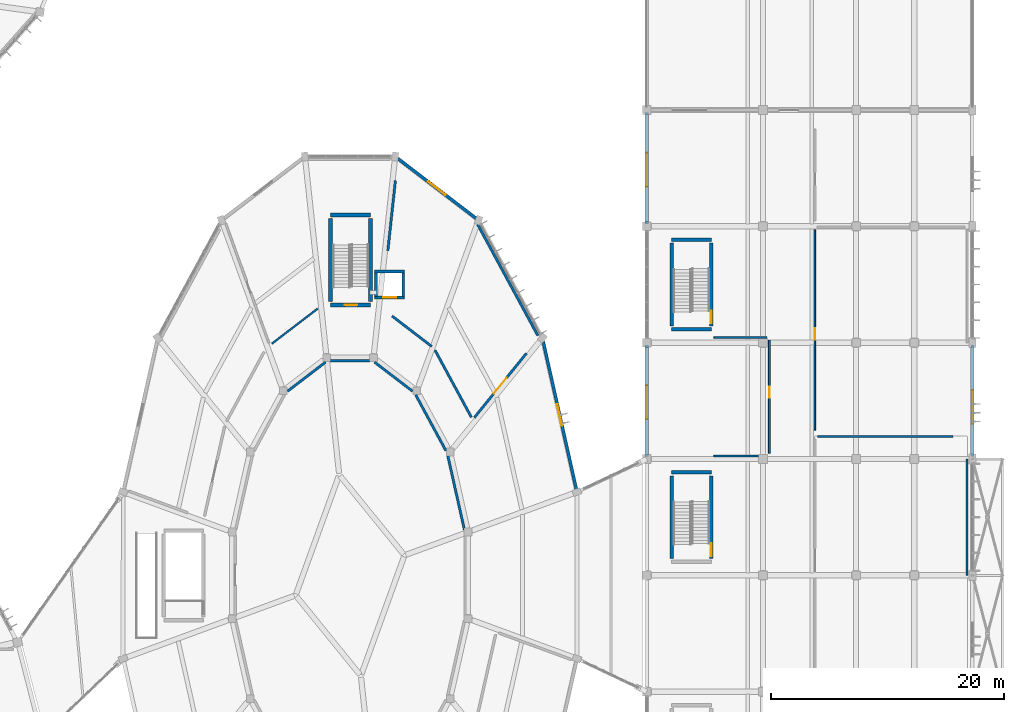
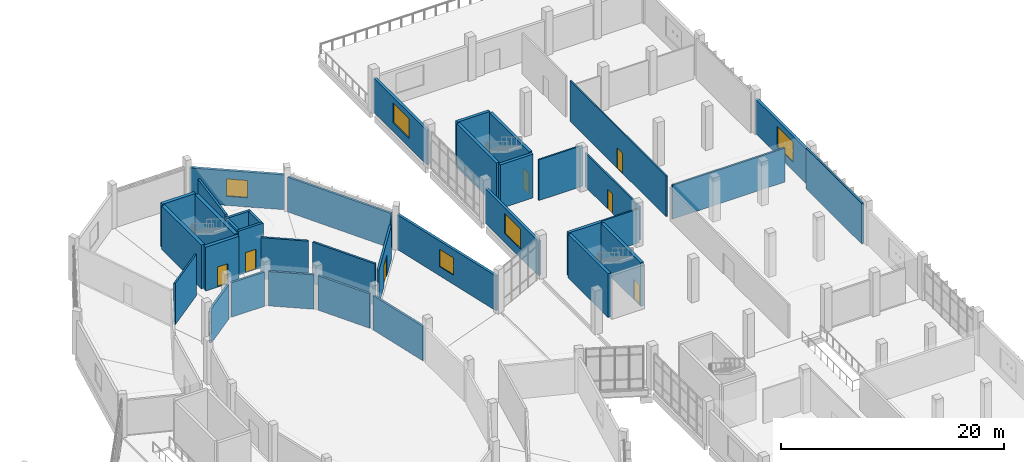
# One storey, part 128 of 179: 37 walls, 7 doors, 5 windows, 12 openings.
"""IFC4 building model written with IfcOpenShell, lengths in metres."""

from ifc_helpers import new_model, si_unit, direction, frame, frame_2d, origin, place, context, subcontext, project, spatial, rectangle, extrude, material, layer, layer_set, type_object, element, fill, save


model = new_model("IFC4")

# Units and contexts
model_context = context("Model", 3, precision=1e-05, world=origin(), true_north=direction((0.0, 1.0)))
body_context = subcontext(model_context, "Body", "Model", "MODEL_VIEW")
ifc_project = project(units=[si_unit("LENGTHUNIT", "METRE"), si_unit("AREAUNIT", "SQUARE_METRE"), si_unit("VOLUMEUNIT", "CUBIC_METRE"), si_unit("PLANEANGLEUNIT", "RADIAN"), si_unit("MASSUNIT", "GRAM", prefix="KILO")], contexts=[model_context])

# Site, building, storey
site_placement = place(None, origin())
site = spatial("IfcSite", under=ifc_project, at=site_placement, CompositionType="ELEMENT")
building_placement = place(site_placement, origin())
building = spatial("IfcBuilding", under=site, at=building_placement, Name="Corvandel Quay Wholesale Market", CompositionType="ELEMENT")
storey_placement = place(building_placement, frame((0.0, 0.0, 6.0)))
storey = spatial("IfcBuildingStorey", under=building, at=storey_placement, Name="L01", CompositionType="ELEMENT", Elevation=6.0)

# Wall, opening, window
ifc_material_1 = material(Name="Buff-pigmented precast concrete C45/55", Category="concrete")
ifc_layer_1 = layer(ifc_material_1, 0.280029296875)
ifc_layer_set_1 = layer_set([ifc_layer_1], Name="Buff-pigmented precast concrete C45/55")
wall_type_1 = type_object("IfcWallType", Name="Colonnade Spandrel Precast Wall EW07 280", PredefinedType="SOLIDWALL", material=ifc_layer_set_1)
wall_1_placement = place(storey_placement, frame((248.0, 70.219970703125, 0.0), z_axis=(0.0, 0.0, 1.0), x_axis=(0.0, 1.0, 0.0)))
wall_1 = element("IfcWall", 1, at=wall_1_placement, inside=storey, type_object=wall_type_1, Name="Exterior Wall EW-0354", PredefinedType="SOLIDWALL", context=body_context, shape_type="SweptSolid", body=[
    extrude(rectangle(XDim=9.56005859375, YDim=0.280029296875, at=frame_2d((4.780029296875, 0.0))), origin(), (0.0, 0.0, 1.0), 3.760009765625),
])
opening_1_placement = place(wall_1_placement, frame((2.800048828125, 0.0, 0.89990234375)))
opening_1 = element("IfcOpeningElement", 2, at=opening_1_placement, cuts=wall_1, Name="Opening L01-W091", PredefinedType="OPENING", context=body_context, shape_type="SweptSolid", body=[
    extrude(rectangle(XDim=2.89990234375, YDim=2.199951171875, at=frame_2d((1.449951171875, 1.10009765625))), frame((0.0, 0.14990234375, 0.0), z_axis=(0.0, -1.0, 0.0), x_axis=(1.0, 0.0, 0.0)), (0.0, 0.0, 1.0), 0.300048828125),
])
ifc_material_2 = material(Name="Thermally broken bronze anodised aluminium and solar-control low-E double glazing", Category="aluminium")
window_type_1 = type_object("IfcWindowType", Name="Canteen Harbour Window WN18 2900x2200", PartitioningType="SINGLE_PANEL", PredefinedType="WINDOW", material=ifc_material_2)
window_1_placement = place(opening_1_placement, origin())
window_1 = element("IfcWindow", 3, at=window_1_placement, inside=storey, type_object=window_type_1, Name="Window L01-W091", OverallHeight=2.199951171875, OverallWidth=2.89990234375, PartitioningType="SINGLE_PANEL", PredefinedType="WINDOW", context=body_context, shape_type="SweptSolid", body=[
    extrude(rectangle(XDim=2.89990234375, YDim=2.199951171875, at=frame_2d((1.449951171875, 1.10009765625))), frame((0.0, 0.030029296875, 0.0), z_axis=(0.0, -1.0, 0.0), x_axis=(1.0, 0.0, 0.0)), (0.0, 0.0, 1.0), 0.06005859375),
])
fill(opening_1, window_1)

wall_2_placement = place(storey_placement, frame((220.0, 70.219970703125, 0.0), z_axis=(0.0, 0.0, 1.0), x_axis=(0.0, 1.0, 0.0)))
wall_2 = element("IfcWall", 4, at=wall_2_placement, inside=storey, type_object=wall_type_1, Name="Exterior Wall EW-0355", PredefinedType="SOLIDWALL", context=body_context, shape_type="SweptSolid", body=[
    extrude(rectangle(XDim=9.56005859375, YDim=0.280029296875, at=frame_2d((4.780029296875, 0.0))), origin(), (0.0, 0.0, 1.0), 3.760009765625),
])
opening_2_placement = place(wall_2_placement, frame((3.199951171875, 0.0, 0.949951171875)))
opening_2 = element("IfcOpeningElement", 5, at=opening_2_placement, cuts=wall_2, Name="Opening L01-W092", PredefinedType="OPENING", context=body_context, shape_type="SweptSolid", body=[
    extrude(rectangle(XDim=2.89990234375, YDim=2.199951171875, at=frame_2d((1.449951171875, 1.10009765625))), frame((0.0, 0.14990234375, 0.0), z_axis=(0.0, -1.0, 0.0), x_axis=(1.0, 0.0, 0.0)), (0.0, 0.0, 1.0), 0.300048828125),
])
window_2_placement = place(opening_2_placement, origin())
window_2 = element("IfcWindow", 6, at=window_2_placement, inside=storey, type_object=window_type_1, Name="Window L01-W092", OverallHeight=2.199951171875, OverallWidth=2.89990234375, PartitioningType="SINGLE_PANEL", PredefinedType="WINDOW", context=body_context, shape_type="SweptSolid", body=[
    extrude(rectangle(XDim=2.89990234375, YDim=2.199951171875, at=frame_2d((1.449951171875, 1.10009765625))), frame((0.0, 0.030029296875, 0.0), z_axis=(0.0, -1.0, 0.0), x_axis=(1.0, 0.0, 0.0)), (0.0, 0.0, 1.0), 0.06005859375),
])
fill(opening_2, window_2)

wall_3_placement = place(storey_placement, frame((220.0, 90.219970703125, 0.0), z_axis=(0.0, 0.0, 1.0), x_axis=(0.0, 1.0, 0.0)))
wall_3 = element("IfcWall", 7, at=wall_3_placement, inside=storey, type_object=wall_type_1, Name="Exterior Wall EW-0357", PredefinedType="SOLIDWALL", context=body_context, shape_type="SweptSolid", body=[
    extrude(rectangle(XDim=9.56005859375, YDim=0.280029296875, at=frame_2d((4.780029296875, 0.0))), origin(), (0.0, 0.0, 1.0), 3.760009765625),
])
opening_3_placement = place(wall_3_placement, frame((3.199951171875, 0.0, 0.949951171875)))
opening_3 = element("IfcOpeningElement", 8, at=opening_3_placement, cuts=wall_3, Name="Opening L01-W094", PredefinedType="OPENING", context=body_context, shape_type="SweptSolid", body=[
    extrude(rectangle(XDim=2.89990234375, YDim=2.199951171875, at=frame_2d((1.449951171875, 1.10009765625))), frame((0.0, 0.14990234375, 0.0), z_axis=(0.0, -1.0, 0.0), x_axis=(1.0, 0.0, 0.0)), (0.0, 0.0, 1.0), 0.300048828125),
])
window_3_placement = place(opening_3_placement, origin())
window_3 = element("IfcWindow", 9, at=window_3_placement, inside=storey, type_object=window_type_1, Name="Window L01-W094", OverallHeight=2.199951171875, OverallWidth=2.89990234375, PartitioningType="SINGLE_PANEL", PredefinedType="WINDOW", context=body_context, shape_type="SweptSolid", body=[
    extrude(rectangle(XDim=2.89990234375, YDim=2.199951171875, at=frame_2d((1.449951171875, 1.10009765625))), frame((0.0, 0.030029296875, 0.0), z_axis=(0.0, -1.0, 0.0), x_axis=(1.0, 0.0, 0.0)), (0.0, 0.0, 1.0), 0.06005859375),
])
fill(opening_3, window_3)

# Wall, opening, door
ifc_material_3 = material(Name="Concrete C40/50", Category="concrete")
ifc_layer_2 = layer(ifc_material_3, 0.35009765625)
ifc_layer_set_2 = layer_set([ifc_layer_2], Name="Concrete C40/50")
wall_type_2 = type_object("IfcWallType", Name="Core Shear Wall SW01 350", PredefinedType="SHEAR", material=ifc_layer_set_2)
wall_4_placement = place(storey_placement, frame((192.824951171875, 83.22509765625, 0.0), z_axis=(0.0, 0.0, 1.0), x_axis=(1.0, 0.0, 0.0)))
wall_4 = element("IfcWall", 10, at=wall_4_placement, inside=storey, type_object=wall_type_2, Name="Shear Wall IW-0081", PredefinedType="SHEAR", context=body_context, shape_type="SweptSolid", body=[
    extrude(rectangle(XDim=3.449951171875, YDim=0.35009765625, at=frame_2d((1.72509765625, 0.0))), origin(), (0.0, 0.0, 1.0), 4.800048828125),
])
opening_4_placement = place(wall_4_placement, frame((1.199951171875, 0.0, 0.0)))
opening_4 = element("IfcOpeningElement", 11, at=opening_4_placement, cuts=wall_4, Name="Opening L01-D009", PredefinedType="OPENING", context=body_context, shape_type="SweptSolid", body=[
    extrude(rectangle(XDim=1.10009765625, YDim=2.199951171875, at=frame_2d((0.550048828125, 1.10009765625))), frame((0.0, 0.18505859375, 0.0), z_axis=(0.0, -1.0, 0.0), x_axis=(1.0, 0.0, 0.0)), (0.0, 0.0, 1.0), 0.3701171875),
])
ifc_material_4 = material(Name="Galvanised fire-rated hollow steel", Category="steel")
door_type_1 = type_object("IfcDoorType", Name="Exit Stair Fire Door ID01 1100x2200L", OperationType="SINGLE_SWING_LEFT", PredefinedType="DOOR", material=ifc_material_4)
door_1_placement = place(opening_4_placement, origin())
door_1 = element("IfcDoor", 12, at=door_1_placement, inside=storey, type_object=door_type_1, Name="Exit Stair Door SH08-L01", OperationType="SINGLE_SWING_LEFT", OverallHeight=2.199951171875, OverallWidth=1.10009765625, PredefinedType="DOOR", context=body_context, shape_type="SweptSolid", body=[
    extrude(rectangle(XDim=1.10009765625, YDim=2.199951171875, at=frame_2d((0.550048828125, 1.10009765625))), frame((0.0, 0.02490234375, 0.0), z_axis=(0.0, -1.0, 0.0), x_axis=(1.0, 0.0, 0.0)), (0.0, 0.0, 1.0), 0.050048828125),
])
fill(opening_4, door_1)

# Walls
wall_5_placement = place(storey_placement, frame((192.824951171875, 90.97509765625, 0.0), z_axis=(0.0, 0.0, 1.0), x_axis=(1.0, 0.0, 0.0)))
element("IfcWall", 13, at=wall_5_placement, inside=storey, type_object=wall_type_2, Name="Shear Wall IW-0082", PredefinedType="SHEAR", context=body_context, shape_type="SweptSolid", body=[
    extrude(rectangle(XDim=3.449951171875, YDim=0.35009765625, at=frame_2d((1.72509765625, 0.0))), origin(), (0.0, 0.0, 1.0), 4.800048828125),
])
for number, where, z_axis, x_axis, name in (
    (14, (192.824951171875, 83.5400390625, 0.0), (0.0, 0.0, 1.0), (0.0, 1.0, 0.0), "Shear Wall IW-0083"),
    (15, (196.27490234375, 83.5400390625, 0.0), (0.0, 0.0, 1.0), (0.0, 1.0, 0.0), "Shear Wall IW-0084"),
):
    element("IfcWall", number, at=place(storey_placement, frame(where, z_axis=z_axis, x_axis=x_axis)), inside=storey, type_object=wall_type_2, Name=name, PredefinedType="SHEAR", context=body_context, shape_type="SweptSolid", body=[
        extrude(rectangle(XDim=7.119873046875, YDim=0.35009765625, at=frame_2d((3.56005859375, 0.0))), origin(), (0.0, 0.0, 1.0), 4.800048828125),
    ])
ifc_material_5 = material(Name="Gypsum-clad steel stud framing", Category="steel")
ifc_layer_3 = layer(ifc_material_5, 0.2099609375)
ifc_layer_set_3 = layer_set([ifc_layer_3], Name="Gypsum-clad steel stud framing")
wall_type_3 = type_object("IfcWallType", Name="Corridor Rated Partition PT02 210", PredefinedType="PARTITIONING", material=ifc_layer_set_3)
wall_6_placement = place(storey_placement, frame((189.1328125, 75.83056640625, 0.0), z_axis=(0.0, 0.0, 1.0), x_axis=(0.794324097456, 0.607494220714, 0.0)))
element("IfcWall", 16, at=wall_6_placement, inside=storey, type_object=wall_type_3, Name="Interior Wall IW-0721", PredefinedType="PARTITIONING", context=body_context, shape_type="SweptSolid", body=[
    extrude(rectangle(XDim=4.1083984375, YDim=0.2099609375, at=frame_2d((2.05419921875, 0.0))), origin(), (0.0, 0.0, 1.0), 3.760009765625),
])
wall_7_placement = place(storey_placement, frame((192.791015625, 78.4599609375, 0.0), z_axis=(0.0, 0.0, 1.0), x_axis=(1.0, 0.0, 0.0)))
element("IfcWall", 17, at=wall_7_placement, inside=storey, type_object=wall_type_3, Name="Interior Wall IW-0722", PredefinedType="PARTITIONING", context=body_context, shape_type="SweptSolid", body=[
    extrude(rectangle(XDim=3.41796875, YDim=0.2099609375, at=frame_2d((1.708984375, 0.0))), origin(), (0.0, 0.0, 1.0), 3.760009765625),
])
wall_8_placement = place(storey_placement, frame((196.603759765625, 78.326416015625, 0.0), z_axis=(0.0, 0.0, 1.0), x_axis=(0.794324097456, -0.607494220714, 0.0)))
element("IfcWall", 18, at=wall_8_placement, inside=storey, type_object=wall_type_3, Name="Interior Wall IW-0723", PredefinedType="PARTITIONING", context=body_context, shape_type="SweptSolid", body=[
    extrude(rectangle(XDim=4.1083984375, YDim=0.2099609375, at=frame_2d((2.05419921875, 0.0))), origin(), (0.0, 0.0, 1.0), 3.760009765625),
])
wall_9_placement = place(storey_placement, frame((200.146728515625, 75.50341796875, 0.0), z_axis=(0.0, 0.0, 1.0), x_axis=(0.476219723691, -0.879326318705, 0.0)))
element("IfcWall", 19, at=wall_9_placement, inside=storey, type_object=wall_type_3, Name="Interior Wall IW-0724", PredefinedType="PARTITIONING", context=body_context, shape_type="SweptSolid", body=[
    extrude(rectangle(XDim=5.456298828125, YDim=0.2099609375, at=frame_2d((2.72802734375, 0.0))), origin(), (0.0, 0.0, 1.0), 3.760009765625),
])
wall_10_placement = place(storey_placement, frame((202.898193359375, 70.29736328125, 0.0), z_axis=(0.0, 0.0, 1.0), x_axis=(0.218983275202, -0.975728612464, 0.0)))
element("IfcWall", 20, at=wall_10_placement, inside=storey, type_object=wall_type_3, Name="Interior Wall IW-0725", PredefinedType="PARTITIONING", context=body_context, shape_type="SweptSolid", body=[
    extrude(rectangle(XDim=6.546630859375, YDim=0.2099609375, at=frame_2d((3.2734375, 0.0))), origin(), (0.0, 0.0, 1.0), 3.760009765625),
])
wall_11_placement = place(storey_placement, frame((204.93505859375, 73.576416015625, 0.0), z_axis=(0.0, 0.0, 1.0), x_axis=(-0.476768399211, 0.87902894919, 0.0)))
element("IfcWall", 21, at=wall_11_placement, inside=storey, type_object=wall_type_3, Name="Interior Wall IW-0727", PredefinedType="PARTITIONING", context=body_context, shape_type="SweptSolid", body=[
    extrude(rectangle(XDim=6.563232421875, YDim=0.2099609375, at=frame_2d((3.28173828125, 0.0))), origin(), (0.0, 0.0, 1.0), 4.5400390625),
])
wall_12_placement = place(storey_placement, frame((201.5263671875, 79.6728515625, 0.0), z_axis=(0.0, 0.0, 1.0), x_axis=(-0.793645618884, 0.608380334681, 0.0)))
element("IfcWall", 22, at=wall_12_placement, inside=storey, type_object=wall_type_3, Name="Interior Wall IW-0728", PredefinedType="PARTITIONING", context=body_context, shape_type="SweptSolid", body=[
    extrude(rectangle(XDim=4.303955078125, YDim=0.2099609375, at=frame_2d((2.15185546875, 0.0))), origin(), (0.0, 0.0, 1.0), 4.5400390625),
])
wall_13_placement = place(storey_placement, frame((197.74853515625, 87.906005859375, 0.0), z_axis=(0.0, 0.0, 1.0), x_axis=(0.107124111103, 0.994245656174, 0.0)))
element("IfcWall", 23, at=wall_13_placement, inside=storey, type_object=wall_type_3, Name="Interior Wall IW-0729", PredefinedType="PARTITIONING", context=body_context, shape_type="SweptSolid", body=[
    extrude(rectangle(XDim=6.05322265625, YDim=0.2099609375, at=frame_2d((3.026611328125, 0.0))), origin(), (0.0, 0.0, 1.0), 3.760009765625),
])
wall_14_placement = place(storey_placement, frame((205.4638671875, 90.16650390625, 0.0), z_axis=(0.0, 0.0, 1.0), x_axis=(0.476290386747, -0.879288045803, 0.0)))
element("IfcWall", 24, at=wall_14_placement, inside=storey, type_object=wall_type_3, Name="Interior Wall IW-0730", PredefinedType="PARTITIONING", context=body_context, shape_type="SweptSolid", body=[
    extrude(rectangle(XDim=10.86572265625, YDim=0.2099609375, at=frame_2d((5.432861328125, 0.0))), origin(), (0.0, 0.0, 1.0), 3.81005859375),
])

# Wall, opening, door
wall_15_placement = place(storey_placement, frame((209.66162109375, 79.083984375, 0.0), z_axis=(0.0, 0.0, 1.0), x_axis=(-0.629746593184, -0.776800636182, 0.0)))
wall_15 = element("IfcWall", 25, at=wall_15_placement, inside=storey, type_object=wall_type_3, Name="Interior Wall IW-0731", PredefinedType="PARTITIONING", context=body_context, shape_type="SweptSolid", body=[
    extrude(rectangle(XDim=7.118896484375, YDim=0.2099609375, at=frame_2d((3.5595703125, 0.0))), origin(), (0.0, 0.0, 1.0), 3.760009765625),
])
opening_5_placement = place(wall_15_placement, frame((2.708984375, 0.0, 0.0)))
opening_5 = element("IfcOpeningElement", 26, at=opening_5_placement, cuts=wall_15, Name="Opening L01-D047", PredefinedType="OPENING", context=body_context, shape_type="SweptSolid", body=[
    extrude(rectangle(XDim=1.75, YDim=2.35009765625, at=frame_2d((0.875, 1.175048828125))), frame((0.0, 0.114990234375, 0.0), z_axis=(0.0, -1.0, 0.0), x_axis=(1.0, 0.0, 0.0)), (0.0, 0.0, 1.0), 0.22998046875),
])
ifc_material_6 = material(Name="Acoustic timber double leaf", Category="wood")
door_type_2 = type_object("IfcDoorType", Name="Auction Hall Acoustic Door ID18 1750x2350", OperationType="DOUBLE_DOOR_SINGLE_SWING", PredefinedType="DOOR", material=ifc_material_6)
door_2_placement = place(opening_5_placement, origin())
door_2 = element("IfcDoor", 27, at=door_2_placement, inside=storey, type_object=door_type_2, Name="Auction Lift Lobby V3 L01 Door", OperationType="DOUBLE_DOOR_SINGLE_SWING", OverallHeight=2.35009765625, OverallWidth=1.75, PredefinedType="DOOR", context=body_context, shape_type="SweptSolid", body=[
    extrude(rectangle(XDim=1.75, YDim=2.35009765625, at=frame_2d((0.875, 1.175048828125))), frame((0.0, 0.02490234375, 0.0), z_axis=(0.0, -1.0, 0.0), x_axis=(1.0, 0.0, 0.0)), (0.0, 0.0, 1.0), 0.050048828125),
])
fill(opening_5, door_2)

# Walls
ifc_material_7 = material(Name="FRP-faced cementitious board stud wall")
ifc_layer_4 = layer(ifc_material_7, 0.179931640625)
ifc_layer_set_4 = layer_set([ifc_layer_4], Name="FRP-faced cementitious board stud wall")
wall_type_4 = type_object("IfcWallType", Name="Hygienic Washdown Partition PT05 180", PredefinedType="PARTITIONING", material=ifc_layer_set_4)
wall_16_placement = place(storey_placement, frame((234.679931640625, 71.93994140625, 0.0), z_axis=(0.0, 0.0, 1.0), x_axis=(1.0, 0.0, 0.0)))
element("IfcWall", 28, at=wall_16_placement, inside=storey, type_object=wall_type_4, Name="Interior Wall IW-0875", PredefinedType="PARTITIONING", context=body_context, shape_type="SweptSolid", body=[
    extrude(rectangle(XDim=11.650146484375, YDim=0.179931640625, at=frame_2d((5.8251953125, 0.0))), origin(), (0.0, 0.0, 1.0), 3.7099609375),
])
wall_17_placement = place(storey_placement, frame((247.5400390625, 70.0, 0.0), z_axis=(0.0, 0.0, 1.0), x_axis=(0.0, -1.0, 0.0)))
element("IfcWall", 29, at=wall_17_placement, inside=storey, type_object=wall_type_4, Name="Interior Wall IW-0876", PredefinedType="PARTITIONING", context=body_context, shape_type="SweptSolid", body=[
    extrude(rectangle(XDim=10.0, YDim=0.179931640625, at=frame_2d((5.0, 0.0))), origin(), (0.0, 0.0, 1.0), 4.4599609375),
])

# Wall, opening, door
ifc_layer_5 = layer(ifc_material_3, 0.25)
ifc_layer_set_5 = layer_set([ifc_layer_5], Name="Concrete C40/50")
wall_type_5 = type_object("IfcWallType", Name="Lift Shaft Shear Wall SW03 250", PredefinedType="SHEAR", material=ifc_layer_set_5)
wall_18_placement = place(storey_placement, frame((196.60009765625, 83.875, 0.0), z_axis=(0.0, 0.0, 1.0), x_axis=(1.0, 0.0, 0.0)))
wall_18 = element("IfcWall", 30, at=wall_18_placement, inside=storey, type_object=wall_type_5, Name="Shear Wall IW-0289", PredefinedType="SHEAR", context=body_context, shape_type="SweptSolid", body=[
    extrude(rectangle(XDim=2.599853515625, YDim=0.25, at=frame_2d((1.2998046875, 0.0))), origin(), (0.0, 0.0, 1.0), 4.800048828125),
])
opening_6_placement = place(wall_18_placement, frame((0.75, 0.0, 0.0)))
opening_6 = element("IfcOpeningElement", 31, at=opening_6_placement, cuts=wall_18, Name="Opening LD-L01-026", PredefinedType="OPENING", context=body_context, shape_type="SweptSolid", body=[
    extrude(rectangle(XDim=1.10009765625, YDim=2.199951171875, at=frame_2d((0.550048828125, 1.10009765625))), frame((0.0, 0.135009765625, 0.0), z_axis=(0.0, -1.0, 0.0), x_axis=(1.0, 0.0, 0.0)), (0.0, 0.0, 1.0), 0.27001953125),
])
ifc_material_8 = material(Name="Brushed stainless steel", Category="steel")
door_type_3 = type_object("IfcDoorType", Name="Passenger Lift Landing Door LD01 1100x2200", OperationType="DOUBLE_DOOR_SLIDING", PredefinedType="DOOR", material=ifc_material_8)
door_3_placement = place(opening_6_placement, origin())
door_3 = element("IfcDoor", 32, at=door_3_placement, inside=storey, type_object=door_type_3, Name="Lift Landing Door LF-V3P1-L01", OperationType="DOUBLE_DOOR_SLIDING", OverallHeight=2.199951171875, OverallWidth=1.10009765625, PredefinedType="DOOR", context=body_context, shape_type="SweptSolid", body=[
    extrude(rectangle(XDim=1.10009765625, YDim=2.199951171875, at=frame_2d((0.550048828125, 1.10009765625))), frame((0.0, 0.02490234375, 0.0), z_axis=(0.0, -1.0, 0.0), x_axis=(1.0, 0.0, 0.0)), (0.0, 0.0, 1.0), 0.050048828125),
])
fill(opening_6, door_3)

# Walls
wall_19_placement = place(storey_placement, frame((196.60009765625, 86.125, 0.0), z_axis=(0.0, 0.0, 1.0), x_axis=(1.0, 0.0, 0.0)))
element("IfcWall", 33, at=wall_19_placement, inside=storey, type_object=wall_type_5, Name="Shear Wall IW-0290", PredefinedType="SHEAR", context=body_context, shape_type="SweptSolid", body=[
    extrude(rectangle(XDim=2.599853515625, YDim=0.25, at=frame_2d((1.2998046875, 0.0))), origin(), (0.0, 0.0, 1.0), 4.800048828125),
])
for number, where, z_axis, x_axis, name in (
    (34, (196.72509765625, 83.989990234375, 0.0), (0.0, 0.0, 1.0), (0.0, 1.0, 0.0), "Shear Wall IW-0291"),
    (35, (199.074951171875, 83.989990234375, 0.0), (0.0, 0.0, 1.0), (0.0, 1.0, 0.0), "Shear Wall IW-0292"),
):
    element("IfcWall", number, at=place(storey_placement, frame(where, z_axis=z_axis, x_axis=x_axis)), inside=storey, type_object=wall_type_5, Name=name, PredefinedType="SHEAR", context=body_context, shape_type="SweptSolid", body=[
        extrude(rectangle(XDim=2.02001953125, YDim=0.25, at=frame_2d((1.010009765625, 0.0))), origin(), (0.0, 0.0, 1.0), 4.800048828125),
    ])

# Wall, opening, door
ifc_material_9 = material(Name="Double-layer acoustic gypsum stud partition")
ifc_layer_6 = layer(ifc_material_9, 0.139892578125)
ifc_layer_set_6 = layer_set([ifc_layer_6], Name="Double-layer acoustic gypsum stud partition")
wall_type_6 = type_object("IfcWallType", Name="Office Acoustic Partition PT07 140", PredefinedType="PARTITIONING", material=ifc_layer_set_6)
wall_20_placement = place(storey_placement, frame((234.4599609375, 72.47998046875, 0.0), z_axis=(0.0, 0.0, 1.0), x_axis=(0.0, 1.0, 0.0)))
wall_20 = element("IfcWall", 36, at=wall_20_placement, inside=storey, type_object=wall_type_6, Name="Interior Wall IW-0878", PredefinedType="PARTITIONING", context=body_context, shape_type="SweptSolid", body=[
    extrude(rectangle(XDim=17.239990234375, YDim=0.139892578125, at=frame_2d((8.6201171875, 0.0))), origin(), (0.0, 0.0, 1.0), 4.4599609375),
])
opening_7_placement = place(wall_20_placement, frame((7.77001953125, 0.0, 0.0)))
opening_7 = element("IfcOpeningElement", 37, at=opening_7_placement, cuts=wall_20, Name="Opening L01-D068", PredefinedType="OPENING", context=body_context, shape_type="SweptSolid", body=[
    extrude(rectangle(XDim=1.0, YDim=2.199951171875, at=frame_2d((0.5, 1.10009765625))), frame((0.0, 0.079833984375, 0.0), z_axis=(0.0, -1.0, 0.0), x_axis=(1.0, 0.0, 0.0)), (0.0, 0.0, 1.0), 0.159912109375),
])
ifc_material_10 = material(Name="Stained oak solid-core acoustic timber", Category="wood")
door_type_4 = type_object("IfcDoorType", Name="Office Entry Door ID09 1000x2200L", OperationType="SINGLE_SWING_LEFT", PredefinedType="DOOR", material=ifc_material_10)
door_4_placement = place(opening_7_placement, origin())
door_4 = element("IfcDoor", 38, at=door_4_placement, inside=storey, type_object=door_type_4, Name="Civic Culinary Teaching Room Door", OperationType="SINGLE_SWING_LEFT", OverallHeight=2.199951171875, OverallWidth=1.0, PredefinedType="DOOR", context=body_context, shape_type="SweptSolid", body=[
    extrude(rectangle(XDim=1.0, YDim=2.199951171875, at=frame_2d((0.5, 1.10009765625))), frame((0.0, 0.02490234375, 0.0), z_axis=(0.0, -1.0, 0.0), x_axis=(1.0, 0.0, 0.0)), (0.0, 0.0, 1.0), 0.050048828125),
])
fill(opening_7, door_4)

# Wall, opening, window
ifc_material_11 = material(Name="Terracotta precast concrete C45/55", Category="masonry")
ifc_layer_7 = layer(ifc_material_11, 0.260009765625)
ifc_layer_set_7 = layer_set([ifc_layer_7], Name="Terracotta precast concrete C45/55")
wall_type_7 = type_object("IfcWallType", Name="Pavilion Pilaster Infill Wall EW08 260", PredefinedType="SOLIDWALL", material=ifc_layer_set_7)
wall_21_placement = place(storey_placement, frame((213.951904296875, 67.375732421875, 0.0), z_axis=(0.0, 0.0, 1.0), x_axis=(-0.218965309906, 0.975732644251, 0.0)))
wall_21 = element("IfcWall", 39, at=wall_21_placement, inside=storey, type_object=wall_type_7, Name="Exterior Wall EW-0158", PredefinedType="SOLIDWALL", context=body_context, shape_type="SweptSolid", body=[
    extrude(rectangle(XDim=13.119873046875, YDim=0.260009765625, at=frame_2d((6.56005859375, 0.0))), origin(), (0.0, 0.0, 1.0), 3.81005859375),
])
opening_8_placement = place(wall_21_placement, frame((5.610107421875, 0.0, 1.0)))
opening_8 = element("IfcOpeningElement", 40, at=opening_8_placement, cuts=wall_21, Name="Opening L01-W045", PredefinedType="OPENING", context=body_context, shape_type="SweptSolid", body=[
    extrude(rectangle(XDim=1.89990234375, YDim=1.89990234375, at=frame_2d((0.949951171875, 0.949951171875))), frame((0.0, 0.139892578125, 0.0), z_axis=(0.0, -1.0, 0.0), x_axis=(1.0, 0.0, 0.0)), (0.0, 0.0, 1.0), 0.280029296875),
])
window_type_2 = type_object("IfcWindowType", Name="Auction Gallery Window WN12 1900x1900", PartitioningType="SINGLE_PANEL", PredefinedType="WINDOW", material=ifc_material_2)
window_4_placement = place(opening_8_placement, origin())
window_4 = element("IfcWindow", 41, at=window_4_placement, inside=storey, type_object=window_type_2, Name="Window L01-W045", OverallHeight=1.89990234375, OverallWidth=1.89990234375, PartitioningType="SINGLE_PANEL", PredefinedType="WINDOW", context=body_context, shape_type="SweptSolid", body=[
    extrude(rectangle(XDim=1.89990234375, YDim=1.89990234375, at=frame_2d((0.949951171875, 0.949951171875))), frame((0.0, 0.030029296875, 0.0), z_axis=(0.0, -1.0, 0.0), x_axis=(1.0, 0.0, 0.0)), (0.0, 0.0, 1.0), 0.06005859375),
])
fill(opening_8, window_4)

wall_22_placement = place(storey_placement, frame((205.37109375, 90.652587890625, 0.0), z_axis=(0.0, 0.0, 1.0), x_axis=(-0.794325535109, 0.607492340918, 0.0)))
wall_22 = element("IfcWall", 42, at=wall_22_placement, inside=storey, type_object=wall_type_7, Name="Exterior Wall EW-0165", PredefinedType="SOLIDWALL", context=body_context, shape_type="SweptSolid", body=[
    extrude(rectangle(XDim=8.58251953125, YDim=0.260009765625, at=frame_2d((4.291259765625, 0.0))), origin(), (0.0, 0.0, 1.0), 3.81005859375),
])
opening_9_placement = place(wall_22_placement, frame((3.341064453125, 0.0, 1.0)))
opening_9 = element("IfcOpeningElement", 43, at=opening_9_placement, cuts=wall_22, Name="Opening L01-W046", PredefinedType="OPENING", context=body_context, shape_type="SweptSolid", body=[
    extrude(rectangle(XDim=1.89990234375, YDim=1.89990234375, at=frame_2d((0.949951171875, 0.949951171875))), frame((0.0, 0.139892578125, 0.0), z_axis=(0.0, -1.0, 0.0), x_axis=(1.0, 0.0, 0.0)), (0.0, 0.0, 1.0), 0.280029296875),
])
window_5_placement = place(opening_9_placement, origin())
window_5 = element("IfcWindow", 44, at=window_5_placement, inside=storey, type_object=window_type_2, Name="Window L01-W046", OverallHeight=1.89990234375, OverallWidth=1.89990234375, PartitioningType="SINGLE_PANEL", PredefinedType="WINDOW", context=body_context, shape_type="SweptSolid", body=[
    extrude(rectangle(XDim=1.89990234375, YDim=1.89990234375, at=frame_2d((0.949951171875, 0.949951171875))), frame((0.0, 0.030029296875, 0.0), z_axis=(0.0, -1.0, 0.0), x_axis=(1.0, 0.0, 0.0)), (0.0, 0.0, 1.0), 0.06005859375),
])
fill(opening_9, window_5)

# Walls
ifc_material_12 = material(Name="Moisture-resistant tile-backer partition")
ifc_layer_8 = layer(ifc_material_12, 0.159912109375)
ifc_layer_set_8 = layer_set([ifc_layer_8], Name="Moisture-resistant tile-backer partition")
wall_type_8 = type_object("IfcWallType", Name="Sanitary Tile Partition PT06 160", PredefinedType="PARTITIONING", material=ifc_layer_set_8)
wall_23_placement = place(storey_placement, frame((191.71533203125, 82.92431640625, 0.0), z_axis=(0.0, 0.0, 1.0), x_axis=(-0.794292212245, -0.607535909694, 0.0)))
element("IfcWall", 45, at=wall_23_placement, inside=storey, type_object=wall_type_8, Name="Interior Wall IW-0733", PredefinedType="PARTITIONING", context=body_context, shape_type="SweptSolid", body=[
    extrude(rectangle(XDim=4.963623046875, YDim=0.159912109375, at=frame_2d((2.48193359375, 0.0))), origin(), (0.0, 0.0, 1.0), 4.5400390625),
])
wall_24_placement = place(storey_placement, frame((225.77001953125, 80.43994140625, 0.0), z_axis=(0.0, 0.0, 1.0), x_axis=(1.0, 0.0, 0.0)))
element("IfcWall", 46, at=wall_24_placement, inside=storey, type_object=wall_type_8, Name="Interior Wall IW-0885", PredefinedType="PARTITIONING", context=body_context, shape_type="SweptSolid", body=[
    extrude(rectangle(XDim=4.550048828125, YDim=0.159912109375, at=frame_2d((2.27490234375, 0.0))), origin(), (0.0, 0.0, 1.0), 4.4599609375),
])

# Wall, opening, door
wall_25_placement = place(storey_placement, frame((230.5400390625, 80.219970703125, 0.0), z_axis=(0.0, 0.0, 1.0), x_axis=(0.0, -1.0, 0.0)))
wall_25 = element("IfcWall", 47, at=wall_25_placement, inside=storey, type_object=wall_type_8, Name="Interior Wall IW-0886", PredefinedType="PARTITIONING", context=body_context, shape_type="SweptSolid", body=[
    extrude(rectangle(XDim=9.739990234375, YDim=0.159912109375, at=frame_2d((4.8701171875, 0.0))), origin(), (0.0, 0.0, 1.0), 3.7099609375),
])
opening_10_placement = place(wall_25_placement, frame((4.02001953125, 0.0, 0.0)))
opening_10 = element("IfcOpeningElement", 48, at=opening_10_placement, cuts=wall_25, Name="Opening L01-D071", PredefinedType="OPENING", context=body_context, shape_type="SweptSolid", body=[
    extrude(rectangle(XDim=0.949951171875, YDim=2.14990234375, at=frame_2d((0.47509765625, 1.074951171875))), frame((0.0, 0.08984375, 0.0), z_axis=(0.0, -1.0, 0.0), x_axis=(1.0, 0.0, 0.0)), (0.0, 0.0, 1.0), 0.179931640625),
])
ifc_material_13 = material(Name="Moisture-resistant HPL solid core")
door_type_5 = type_object("IfcDoorType", Name="Accessible Restroom Door ID14 950x2150R", OperationType="SINGLE_SWING_RIGHT", PredefinedType="DOOR", material=ifc_material_13)
door_5_placement = place(opening_10_placement, origin())
door_5 = element("IfcDoor", 49, at=door_5_placement, inside=storey, type_object=door_type_5, Name="Staff Changing and Locker Room Door", OperationType="SINGLE_SWING_RIGHT", OverallHeight=2.14990234375, OverallWidth=0.949951171875, PredefinedType="DOOR", context=body_context, shape_type="SweptSolid", body=[
    extrude(rectangle(XDim=0.949951171875, YDim=2.14990234375, at=frame_2d((0.47509765625, 1.074951171875))), frame((0.0, 0.02490234375, 0.0), z_axis=(0.0, -1.0, 0.0), x_axis=(1.0, 0.0, 0.0)), (0.0, 0.0, 1.0), 0.050048828125),
])
fill(opening_10, door_5)

# Walls
wall_26_placement = place(storey_placement, frame((230.320068359375, 70.260009765625, 0.0), z_axis=(0.0, 0.0, 1.0), x_axis=(-1.0, 0.0, 0.0)))
element("IfcWall", 50, at=wall_26_placement, inside=storey, type_object=wall_type_8, Name="Interior Wall IW-0887", PredefinedType="PARTITIONING", context=body_context, shape_type="SweptSolid", body=[
    extrude(rectangle(XDim=4.550048828125, YDim=0.159912109375, at=frame_2d((2.27490234375, 0.0))), origin(), (0.0, 0.0, 1.0), 3.7099609375),
])
ifc_layer_9 = layer(ifc_material_3, 0.300048828125)
ifc_layer_set_9 = layer_set([ifc_layer_9], Name="Concrete C40/50")
wall_type_9 = type_object("IfcWallType", Name="Stair Shaft Shear Wall SW02 300", PredefinedType="SHEAR", material=ifc_layer_set_9)
wall_27_placement = place(storey_placement, frame((222.14990234375, 68.85009765625, 0.0), z_axis=(0.0, 0.0, 1.0), x_axis=(1.0, 0.0, 0.0)))
element("IfcWall", 51, at=wall_27_placement, inside=storey, type_object=wall_type_9, Name="Shear Wall IW-0198", PredefinedType="SHEAR", context=body_context, shape_type="SweptSolid", body=[
    extrude(rectangle(XDim=3.400146484375, YDim=0.300048828125, at=frame_2d((1.7001953125, 0.0))), origin(), (0.0, 0.0, 1.0), 4.800048828125),
])
wall_28_placement = place(storey_placement, frame((222.14990234375, 61.43994140625, 0.0), z_axis=(0.0, 0.0, 1.0), x_axis=(0.0, 1.0, 0.0)))
element("IfcWall", 52, at=wall_28_placement, inside=storey, type_object=wall_type_9, Name="Shear Wall IW-0199", PredefinedType="SHEAR", context=body_context, shape_type="SweptSolid", body=[
    extrude(rectangle(XDim=7.1201171875, YDim=0.300048828125, at=frame_2d((3.56005859375, 0.0))), origin(), (0.0, 0.0, 1.0), 4.800048828125),
])

# Wall, opening, door
wall_29_placement = place(storey_placement, frame((225.550048828125, 61.43994140625, 0.0), z_axis=(0.0, 0.0, 1.0), x_axis=(0.0, 1.0, 0.0)))
wall_29 = element("IfcWall", 53, at=wall_29_placement, inside=storey, type_object=wall_type_9, Name="Shear Wall IW-0200", PredefinedType="SHEAR", context=body_context, shape_type="SweptSolid", body=[
    extrude(rectangle(XDim=7.1201171875, YDim=0.300048828125, at=frame_2d((3.56005859375, 0.0))), origin(), (0.0, 0.0, 1.0), 4.800048828125),
])
opening_11_placement = place(wall_29_placement, frame((0.219970703125, 0.0, 0.0)))
opening_11 = element("IfcOpeningElement", 54, at=opening_11_placement, cuts=wall_29, Name="Opening L01-D019", PredefinedType="OPENING", context=body_context, shape_type="SweptSolid", body=[
    extrude(rectangle(XDim=1.10009765625, YDim=2.199951171875, at=frame_2d((0.550048828125, 1.10009765625))), frame((0.0, 0.159912109375, 0.0), z_axis=(0.0, -1.0, 0.0), x_axis=(1.0, 0.0, 0.0)), (0.0, 0.0, 1.0), 0.320068359375),
])
door_type_6 = type_object("IfcDoorType", Name="Exit Stair Fire Door ID02 1100x2200R", OperationType="SINGLE_SWING_RIGHT", PredefinedType="DOOR", material=ifc_material_4)
door_6_placement = place(opening_11_placement, origin())
door_6 = element("IfcDoor", 55, at=door_6_placement, inside=storey, type_object=door_type_6, Name="Exit Stair Door SH18-L01", OperationType="SINGLE_SWING_RIGHT", OverallHeight=2.199951171875, OverallWidth=1.10009765625, PredefinedType="DOOR", context=body_context, shape_type="SweptSolid", body=[
    extrude(rectangle(XDim=1.10009765625, YDim=2.199951171875, at=frame_2d((0.550048828125, 1.10009765625))), frame((0.0, 0.02490234375, 0.0), z_axis=(0.0, -1.0, 0.0), x_axis=(1.0, 0.0, 0.0)), (0.0, 0.0, 1.0), 0.050048828125),
])
fill(opening_11, door_6)

# Walls
for number, where, z_axis, x_axis, name in (
    (56, (222.14990234375, 81.14990234375, 0.0), (0.0, 0.0, 1.0), (1.0, 0.0, 0.0), "Shear Wall IW-0229"),
    (57, (222.14990234375, 88.85009765625, 0.0), (0.0, 0.0, 1.0), (1.0, 0.0, 0.0), "Shear Wall IW-0230"),
):
    element("IfcWall", number, at=place(storey_placement, frame(where, z_axis=z_axis, x_axis=x_axis)), inside=storey, type_object=wall_type_9, Name=name, PredefinedType="SHEAR", context=body_context, shape_type="SweptSolid", body=[
        extrude(rectangle(XDim=3.400146484375, YDim=0.300048828125, at=frame_2d((1.7001953125, 0.0))), origin(), (0.0, 0.0, 1.0), 4.800048828125),
    ])
wall_30_placement = place(storey_placement, frame((222.14990234375, 81.43994140625, 0.0), z_axis=(0.0, 0.0, 1.0), x_axis=(0.0, 1.0, 0.0)))
element("IfcWall", 58, at=wall_30_placement, inside=storey, type_object=wall_type_9, Name="Shear Wall IW-0231", PredefinedType="SHEAR", context=body_context, shape_type="SweptSolid", body=[
    extrude(rectangle(XDim=7.1201171875, YDim=0.300048828125, at=frame_2d((3.56005859375, 0.0))), origin(), (0.0, 0.0, 1.0), 4.800048828125),
])

# Wall, opening, door
wall_31_placement = place(storey_placement, frame((225.550048828125, 81.43994140625, 0.0), z_axis=(0.0, 0.0, 1.0), x_axis=(0.0, 1.0, 0.0)))
wall_31 = element("IfcWall", 59, at=wall_31_placement, inside=storey, type_object=wall_type_9, Name="Shear Wall IW-0232", PredefinedType="SHEAR", context=body_context, shape_type="SweptSolid", body=[
    extrude(rectangle(XDim=7.1201171875, YDim=0.300048828125, at=frame_2d((3.56005859375, 0.0))), origin(), (0.0, 0.0, 1.0), 4.800048828125),
])
opening_12_placement = place(wall_31_placement, frame((0.219970703125, 0.0, 0.0)))
opening_12 = element("IfcOpeningElement", 60, at=opening_12_placement, cuts=wall_31, Name="Opening L01-D021", PredefinedType="OPENING", context=body_context, shape_type="SweptSolid", body=[
    extrude(rectangle(XDim=1.10009765625, YDim=2.199951171875, at=frame_2d((0.550048828125, 1.10009765625))), frame((0.0, 0.159912109375, 0.0), z_axis=(0.0, -1.0, 0.0), x_axis=(1.0, 0.0, 0.0)), (0.0, 0.0, 1.0), 0.320068359375),
])
door_7_placement = place(opening_12_placement, origin())
door_7 = element("IfcDoor", 61, at=door_7_placement, inside=storey, type_object=door_type_6, Name="Exit Stair Door SH20-L01", OperationType="SINGLE_SWING_RIGHT", OverallHeight=2.199951171875, OverallWidth=1.10009765625, PredefinedType="DOOR", context=body_context, shape_type="SweptSolid", body=[
    extrude(rectangle(XDim=1.10009765625, YDim=2.199951171875, at=frame_2d((0.550048828125, 1.10009765625))), frame((0.0, 0.02490234375, 0.0), z_axis=(0.0, -1.0, 0.0), x_axis=(1.0, 0.0, 0.0)), (0.0, 0.0, 1.0), 0.050048828125),
])
fill(opening_12, door_7)

save(model, "model.ifc")
